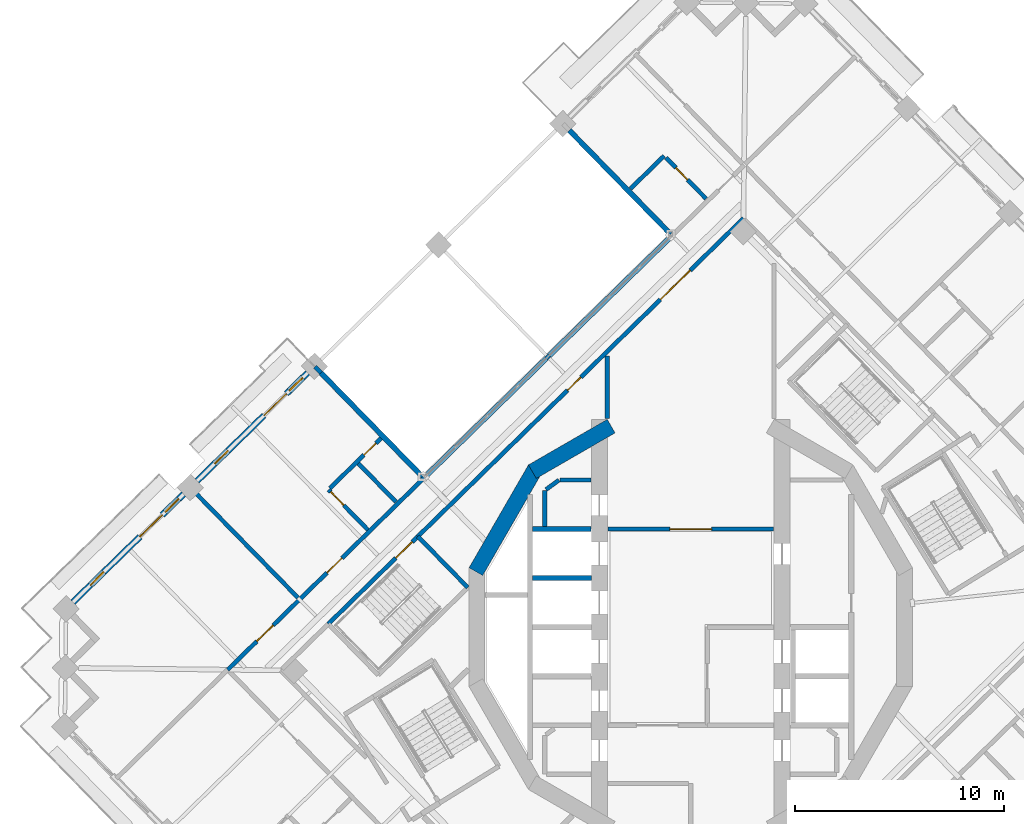
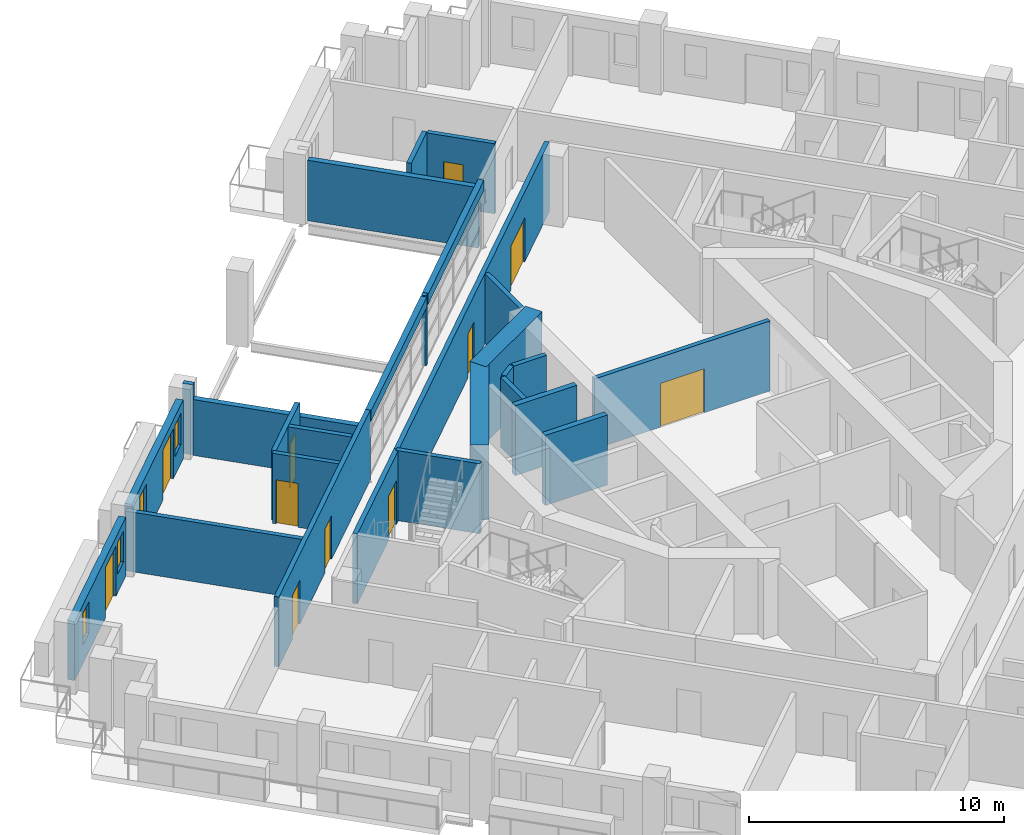
# One storey, part 9 of 18: 27 walls, 11 doors, 4 windows, 15 openings.
"""IFC4 building model written with IfcOpenShell, lengths in metres."""

from ifc_helpers import new_model, si_unit, direction, frame, frame_2d, origin, place, context, subcontext, project, spatial, rectangle, extrude, material, layer, layer_set, type_object, element, fill, save


model = new_model("IFC4")

# Units and contexts
model_context = context("Model", 3, precision=1e-05, world=origin(), true_north=direction((0.0, 1.0)))
body_context = subcontext(model_context, "Body", "Model", "MODEL_VIEW")
ifc_project = project(units=[si_unit("LENGTHUNIT", "METRE"), si_unit("AREAUNIT", "SQUARE_METRE"), si_unit("VOLUMEUNIT", "CUBIC_METRE"), si_unit("PLANEANGLEUNIT", "RADIAN"), si_unit("MASSUNIT", "GRAM", prefix="KILO")], contexts=[model_context])

# Site, building, storey
site_placement = place(None, origin())
site = spatial("IfcSite", under=ifc_project, at=site_placement, CompositionType="ELEMENT")
building_placement = place(site_placement, origin())
building = spatial("IfcBuilding", under=site, at=building_placement, Name="Cantera Rosa Tower", CompositionType="ELEMENT")
storey_placement = place(building_placement, frame((0.0, 0.0, 219.800048828125)))
storey = spatial("IfcBuildingStorey", under=building, at=storey_placement, Name="L47", CompositionType="ELEMENT", Elevation=219.800048828125)

# Wall
ifc_material_1 = material(Name="Gypsum board partition")
ifc_layer_1 = layer(ifc_material_1, 0.199951171875)
ifc_layer_set_1 = layer_set([ifc_layer_1], Name="CORRIDOR WALL 200 H3350")
wall_type_1 = type_object("IfcWallType", Name="CORRIDOR WALL 200 H3350", PredefinedType="PARTITIONING", material=ifc_layer_set_1)
wall_1_placement = place(storey_placement, frame((-4.0, 12.998046875, 0.0), z_axis=(0.0, 0.0, 1.0), x_axis=(0.0, -1.0, 0.0)))
element("IfcWall", 1, at=wall_1_placement, inside=storey, type_object=wall_type_1, Name="CORRIDOR WALL L47-054", PredefinedType="PARTITIONING", context=body_context, shape_type="SweptSolid", body=[
    extrude(rectangle(XDim=3.00390625, YDim=0.199951171875, at=frame_2d((1.501953125, 0.0))), origin(), (0.0, 0.0, 1.0), 3.349853515625),
])

# Wall, opening, door
wall_2_placement = place(storey_placement, frame((-3.969970703125, 4.699951171875, 0.0), z_axis=(0.0, 0.0, 1.0), x_axis=(1.0, 0.0, 0.0)))
wall_2 = element("IfcWall", 2, at=wall_2_placement, inside=storey, type_object=wall_type_1, Name="CORRIDOR WALL L47-055", PredefinedType="PARTITIONING", context=body_context, shape_type="SweptSolid", body=[
    extrude(rectangle(XDim=7.93994140625, YDim=0.199951171875, at=frame_2d((3.969970703125, 0.0))), origin(), (0.0, 0.0, 1.0), 3.349853515625),
])
opening_1_placement = place(wall_2_placement, frame((2.969970703125, 0.0, 0.0)))
opening_1 = element("IfcOpeningElement", 3, at=opening_1_placement, cuts=wall_2, Name="Opening L47-013", PredefinedType="OPENING", context=body_context, shape_type="SweptSolid", body=[
    extrude(rectangle(XDim=2.0, YDim=2.10009765625, at=frame_2d((1.0, 1.050048828125))), frame((0.0, 0.10986328125, 0.0), z_axis=(0.0, -1.0, 0.0), x_axis=(1.0, 0.0, 0.0)), (0.0, 0.0, 1.0), 0.219970703125),
])
ifc_material_2 = material(Name="Steel S355J2 (EN 10025-2)", Category="steel")
door_type_1 = type_object("IfcDoorType", Name="LOBBY SCREEN DOOR 2000x2100", OperationType="NOTDEFINED", PredefinedType="DOOR", material=ifc_material_2)
door_1_placement = place(opening_1_placement, origin())
door_1 = element("IfcDoor", 4, at=door_1_placement, inside=storey, type_object=door_type_1, Name="DOOR L47-013", OperationType="NOTDEFINED", OverallHeight=2.10009765625, OverallWidth=2.0, PredefinedType="DOOR", context=body_context, shape_type="SweptSolid", body=[
    extrude(rectangle(XDim=2.0, YDim=2.10009765625, at=frame_2d((1.0, 1.050048828125))), frame((0.0, 0.02490234375, 0.0), z_axis=(0.0, -1.0, 0.0), x_axis=(1.0, 0.0, 0.0)), (0.0, 0.0, 1.0), 0.050048828125),
])
fill(opening_1, door_1)

# Wall, openings, doors
wall_3_placement = place(storey_placement, frame((2.5263671875, 19.593994140625, 0.0), z_axis=(0.0, 0.0, 1.0), x_axis=(-0.715295644999, -0.698821966059, 0.0)))
wall_3 = element("IfcWall", 5, at=wall_3_placement, inside=storey, type_object=wall_type_1, Name="CORRIDOR WALL L47-069", PredefinedType="PARTITIONING", context=body_context, shape_type="SweptSolid", body=[
    extrude(rectangle(XDim=21.815185546875, YDim=0.199951171875, at=frame_2d((10.90771484375, 0.0))), origin(), (0.0, 0.0, 1.0), 3.349853515625),
])
opening_2_placement = place(wall_3_placement, frame((10.89501953125, 0.0, 0.0)))
opening_2 = element("IfcOpeningElement", 6, at=opening_2_placement, cuts=wall_3, Name="Opening L47-008", PredefinedType="OPENING", context=body_context, shape_type="SweptSolid", body=[
    extrude(rectangle(XDim=0.89990234375, YDim=2.10009765625, at=frame_2d((0.449951171875, 1.050048828125))), frame((0.0, 0.10986328125, 0.0), z_axis=(0.0, -1.0, 0.0), x_axis=(1.0, 0.0, 0.0)), (0.0, 0.0, 1.0), 0.219970703125),
])
opening_3_placement = place(wall_3_placement, frame((3.56201171875, 0.0, 0.0)))
opening_3 = element("IfcOpeningElement", 7, at=opening_3_placement, cuts=wall_3, Name="Opening L47-012", PredefinedType="OPENING", context=body_context, shape_type="SweptSolid", body=[
    extrude(rectangle(XDim=2.0, YDim=2.10009765625, at=frame_2d((1.0, 1.050048828125))), frame((0.0, 0.10986328125, 0.0), z_axis=(0.0, -1.0, 0.0), x_axis=(1.0, 0.0, 0.0)), (0.0, 0.0, 1.0), 0.219970703125),
])
door_2_placement = place(opening_3_placement, origin())
door_2 = element("IfcDoor", 8, at=door_2_placement, inside=storey, type_object=door_type_1, Name="DOOR L47-012", OperationType="NOTDEFINED", OverallHeight=2.10009765625, OverallWidth=2.0, PredefinedType="DOOR", context=body_context, shape_type="SweptSolid", body=[
    extrude(rectangle(XDim=2.0, YDim=2.10009765625, at=frame_2d((1.0, 1.050048828125))), frame((0.0, 0.02490234375, 0.0), z_axis=(0.0, -1.0, 0.0), x_axis=(1.0, 0.0, 0.0)), (0.0, 0.0, 1.0), 0.050048828125),
])
fill(opening_3, door_2)
ifc_material_3 = material(Name="Timber door leaf", Category="wood")
door_type_2 = type_object("IfcDoorType", Name="SERVICE DOOR 900x2100", OperationType="NOTDEFINED", PredefinedType="DOOR", material=ifc_material_3)
door_3_placement = place(opening_2_placement, origin())
door_3 = element("IfcDoor", 9, at=door_3_placement, inside=storey, type_object=door_type_2, Name="DOOR L47-008", OperationType="NOTDEFINED", OverallHeight=2.10009765625, OverallWidth=0.89990234375, PredefinedType="DOOR", context=body_context, shape_type="SweptSolid", body=[
    extrude(rectangle(XDim=0.89990234375, YDim=2.10009765625, at=frame_2d((0.449951171875, 1.050048828125))), frame((0.0, 0.02490234375, 0.0), z_axis=(0.0, -1.0, 0.0), x_axis=(1.0, 0.0, 0.0)), (0.0, 0.0, 1.0), 0.050048828125),
])
fill(opening_2, door_3)

# Wall
wall_4_placement = place(storey_placement, frame((-6.773681640625, 13.024658203125, 0.0), z_axis=(0.0, 0.0, 1.0), x_axis=(-0.715244422752, -0.698874391949, 0.0)))
element("IfcWall", 10, at=wall_4_placement, inside=storey, type_object=wall_type_1, Name="CORRIDOR WALL L47-071", PredefinedType="PARTITIONING", context=body_context, shape_type="SweptSolid", body=[
    extrude(rectangle(XDim=0.19384765625, YDim=0.199951171875, at=frame_2d((0.096923828125, 0.0))), origin(), (0.0, 0.0, 1.0), 3.349853515625),
])

# Wall, openings, doors
wall_5_placement = place(storey_placement, frame((-12.704833984375, 7.22998046875, 0.0), z_axis=(0.0, 0.0, 1.0), x_axis=(-0.715285886085, -0.698831954885, 0.0)))
wall_5 = element("IfcWall", 11, at=wall_5_placement, inside=storey, type_object=wall_type_1, Name="CORRIDOR WALL L47-072", PredefinedType="PARTITIONING", context=body_context, shape_type="SweptSolid", body=[
    extrude(rectangle(XDim=13.26513671875, YDim=0.199951171875, at=frame_2d((6.632568359375, 0.0))), origin(), (0.0, 0.0, 1.0), 3.349853515625),
])
opening_4_placement = place(wall_5_placement, frame((5.610107421875, 0.0, 0.0)))
opening_4 = element("IfcOpeningElement", 12, at=opening_4_placement, cuts=wall_5, Name="Opening L47-030", PredefinedType="OPENING", context=body_context, shape_type="SweptSolid", body=[
    extrude(rectangle(XDim=1.0, YDim=2.10009765625, at=frame_2d((0.5, 1.050048828125))), frame((0.0, 0.10986328125, 0.0), z_axis=(0.0, -1.0, 0.0), x_axis=(1.0, 0.0, 0.0)), (0.0, 0.0, 1.0), 0.219970703125),
])
opening_5_placement = place(wall_5_placement, frame((10.215087890625, 0.0, 0.0)))
opening_5 = element("IfcOpeningElement", 13, at=opening_5_placement, cuts=wall_5, Name="Opening L47-036", PredefinedType="OPENING", context=body_context, shape_type="SweptSolid", body=[
    extrude(rectangle(XDim=1.10009765625, YDim=2.10009765625, at=frame_2d((0.550048828125, 1.050048828125))), frame((0.0, 0.10986328125, 0.0), z_axis=(0.0, -1.0, 0.0), x_axis=(1.0, 0.0, 0.0)), (0.0, 0.0, 1.0), 0.219970703125),
])
ifc_material_4 = material(Name="Timber door leaf", Category="wood")
door_type_3 = type_object("IfcDoorType", Name="ENTRANCE DOOR 1000x2100", OperationType="NOTDEFINED", PredefinedType="DOOR", material=ifc_material_4)
door_4_placement = place(opening_4_placement, origin())
door_4 = element("IfcDoor", 14, at=door_4_placement, inside=storey, type_object=door_type_3, Name="DOOR L47-030", OperationType="NOTDEFINED", OverallHeight=2.10009765625, OverallWidth=1.0, PredefinedType="DOOR", context=body_context, shape_type="SweptSolid", body=[
    extrude(rectangle(XDim=1.0, YDim=2.10009765625, at=frame_2d((0.5, 1.050048828125))), frame((0.0, 0.02490234375, 0.0), z_axis=(0.0, -1.0, 0.0), x_axis=(1.0, 0.0, 0.0)), (0.0, 0.0, 1.0), 0.050048828125),
])
fill(opening_4, door_4)
ifc_material_5 = material(Name="Timber door leaf", Category="wood")
door_type_4 = type_object("IfcDoorType", Name="ROOM DOOR 1100x2100", OperationType="NOTDEFINED", PredefinedType="DOOR", material=ifc_material_5)
door_5_placement = place(opening_5_placement, origin())
door_5 = element("IfcDoor", 15, at=door_5_placement, inside=storey, type_object=door_type_4, Name="DOOR L47-036", OperationType="NOTDEFINED", OverallHeight=2.10009765625, OverallWidth=1.10009765625, PredefinedType="DOOR", context=body_context, shape_type="SweptSolid", body=[
    extrude(rectangle(XDim=1.10009765625, YDim=2.10009765625, at=frame_2d((0.550048828125, 1.050048828125))), frame((0.0, 0.02490234375, 0.0), z_axis=(0.0, -1.0, 0.0), x_axis=(1.0, 0.0, 0.0)), (0.0, 0.0, 1.0), 0.050048828125),
])
fill(opening_5, door_5)

# Wall, openings, windows, door
ifc_material_6 = material(Name="Hollow clay masonry with cantera stone cladding", Category="masonry")
ifc_layer_2 = layer(ifc_material_6, 0.300048828125)
ifc_layer_set_2 = layer_set([ifc_layer_2], Name="EW-LOGGIA 300 H2820")
wall_type_2 = type_object("IfcWallType", Name="EW-LOGGIA 300 H2820", PredefinedType="SOLIDWALL", material=ifc_layer_set_2)
wall_6_placement = place(storey_placement, frame((-18.357177734375, 12.19287109375, 0.0), z_axis=(0.0, 0.0, 1.0), x_axis=(-0.715300826176, -0.698816662703, 0.0)))
wall_6 = element("IfcWall", 16, at=wall_6_placement, inside=storey, type_object=wall_type_2, Name="EN-L47-W10", PredefinedType="SOLIDWALL", context=body_context, shape_type="SweptSolid", body=[
    extrude(rectangle(XDim=7.420166015625, YDim=0.300048828125, at=frame_2d((3.7099609375, 0.0))), origin(), (0.0, 0.0, 1.0), 2.820068359375),
])
opening_6_placement = place(wall_6_placement, frame((0.330078125, 0.0, 0.89990234375)))
opening_6 = element("IfcOpeningElement", 17, at=opening_6_placement, cuts=wall_6, Name="Opening L47-W16", PredefinedType="OPENING", context=body_context, shape_type="SweptSolid", body=[
    extrude(rectangle(XDim=0.89990234375, YDim=1.5, at=frame_2d((0.449951171875, 0.75))), frame((0.0, 0.159912109375, 0.0), z_axis=(0.0, -1.0, 0.0), x_axis=(1.0, 0.0, 0.0)), (0.0, 0.0, 1.0), 0.320068359375),
])
opening_7_placement = place(wall_6_placement, frame((1.429931640625, 0.0, 0.0)))
opening_7 = element("IfcOpeningElement", 18, at=opening_7_placement, cuts=wall_6, Name="Opening L47-TD17", PredefinedType="OPENING", context=body_context, shape_type="SweptSolid", body=[
    extrude(rectangle(XDim=1.5, YDim=2.39990234375, at=frame_2d((0.75, 1.199951171875))), frame((0.0, 0.159912109375, 0.0), z_axis=(0.0, -1.0, 0.0), x_axis=(1.0, 0.0, 0.0)), (0.0, 0.0, 1.0), 0.320068359375),
])
opening_8_placement = place(wall_6_placement, frame((5.340087890625, 0.0, 0.89990234375)))
opening_8 = element("IfcOpeningElement", 19, at=opening_8_placement, cuts=wall_6, Name="Opening L47-W18", PredefinedType="OPENING", context=body_context, shape_type="SweptSolid", body=[
    extrude(rectangle(XDim=0.89990234375, YDim=1.5, at=frame_2d((0.449951171875, 0.75))), frame((0.0, 0.159912109375, 0.0), z_axis=(0.0, -1.0, 0.0), x_axis=(1.0, 0.0, 0.0)), (0.0, 0.0, 1.0), 0.320068359375),
])
ifc_material_7 = material(Name="Aluminium frame with clear glass", Category="aluminium")
window_type = type_object("IfcWindowType", Name="Residential window 900x1500", PartitioningType="SINGLE_PANEL", PredefinedType="WINDOW", material=ifc_material_7)
window_1_placement = place(opening_6_placement, origin())
window_1 = element("IfcWindow", 20, at=window_1_placement, inside=storey, type_object=window_type, Name="WINDOW L47-W16", OverallHeight=1.5, OverallWidth=0.89990234375, PartitioningType="SINGLE_PANEL", PredefinedType="WINDOW", context=body_context, shape_type="SweptSolid", body=[
    extrude(rectangle(XDim=0.89990234375, YDim=1.5, at=frame_2d((0.449951171875, 0.75))), frame((0.0, 0.030029296875, 0.0), z_axis=(0.0, -1.0, 0.0), x_axis=(1.0, 0.0, 0.0)), (0.0, 0.0, 1.0), 0.06005859375),
])
fill(opening_6, window_1)
window_2_placement = place(opening_8_placement, origin())
window_2 = element("IfcWindow", 21, at=window_2_placement, inside=storey, type_object=window_type, Name="WINDOW L47-W18", OverallHeight=1.5, OverallWidth=0.89990234375, PartitioningType="SINGLE_PANEL", PredefinedType="WINDOW", context=body_context, shape_type="SweptSolid", body=[
    extrude(rectangle(XDim=0.89990234375, YDim=1.5, at=frame_2d((0.449951171875, 0.75))), frame((0.0, 0.030029296875, 0.0), z_axis=(0.0, -1.0, 0.0), x_axis=(1.0, 0.0, 0.0)), (0.0, 0.0, 1.0), 0.06005859375),
])
fill(opening_8, window_2)
ifc_material_8 = material(Name="Aluminium frame with clear glass", Category="aluminium")
door_type_5 = type_object("IfcDoorType", Name="TD-R 1500x2400", OperationType="NOTDEFINED", PredefinedType="DOOR", material=ifc_material_8)
door_6_placement = place(opening_7_placement, origin())
door_6 = element("IfcDoor", 22, at=door_6_placement, inside=storey, type_object=door_type_5, Name="LOGGIA DOOR L47-TD17", OperationType="SLIDING_TO_LEFT", OverallHeight=2.39990234375, OverallWidth=1.5, PredefinedType="DOOR", context=body_context, shape_type="SweptSolid", body=[
    extrude(rectangle(XDim=1.5, YDim=2.39990234375, at=frame_2d((0.75, 1.199951171875))), frame((0.0, 0.02490234375, 0.0), z_axis=(0.0, -1.0, 0.0), x_axis=(1.0, 0.0, 0.0)), (0.0, 0.0, 1.0), 0.050048828125),
])
fill(opening_7, door_6)

wall_7_placement = place(storey_placement, frame((-24.308349609375, 6.37841796875, 0.0), z_axis=(0.0, 0.0, 1.0), x_axis=(-0.715300826176, -0.698816662703, 0.0)))
wall_7 = element("IfcWall", 23, at=wall_7_placement, inside=storey, type_object=wall_type_2, Name="EN-L47-W11", PredefinedType="SOLIDWALL", context=body_context, shape_type="SweptSolid", body=[
    extrude(rectangle(XDim=7.420166015625, YDim=0.300048828125, at=frame_2d((3.7099609375, 0.0))), origin(), (0.0, 0.0, 1.0), 2.820068359375),
])
opening_9_placement = place(wall_7_placement, frame((0.330078125, 0.0, 0.89990234375)))
opening_9 = element("IfcOpeningElement", 24, at=opening_9_placement, cuts=wall_7, Name="Opening L47-W19", PredefinedType="OPENING", context=body_context, shape_type="SweptSolid", body=[
    extrude(rectangle(XDim=0.89990234375, YDim=1.5, at=frame_2d((0.449951171875, 0.75))), frame((0.0, 0.159912109375, 0.0), z_axis=(0.0, -1.0, 0.0), x_axis=(1.0, 0.0, 0.0)), (0.0, 0.0, 1.0), 0.320068359375),
])
opening_10_placement = place(wall_7_placement, frame((1.429931640625, 0.0, 0.0)))
opening_10 = element("IfcOpeningElement", 25, at=opening_10_placement, cuts=wall_7, Name="Opening L47-TD20", PredefinedType="OPENING", context=body_context, shape_type="SweptSolid", body=[
    extrude(rectangle(XDim=1.5, YDim=2.39990234375, at=frame_2d((0.75, 1.199951171875))), frame((0.0, 0.159912109375, 0.0), z_axis=(0.0, -1.0, 0.0), x_axis=(1.0, 0.0, 0.0)), (0.0, 0.0, 1.0), 0.320068359375),
])
opening_11_placement = place(wall_7_placement, frame((5.340087890625, 0.0, 0.89990234375)))
opening_11 = element("IfcOpeningElement", 26, at=opening_11_placement, cuts=wall_7, Name="Opening L47-W21", PredefinedType="OPENING", context=body_context, shape_type="SweptSolid", body=[
    extrude(rectangle(XDim=0.89990234375, YDim=1.5, at=frame_2d((0.449951171875, 0.75))), frame((0.0, 0.159912109375, 0.0), z_axis=(0.0, -1.0, 0.0), x_axis=(1.0, 0.0, 0.0)), (0.0, 0.0, 1.0), 0.320068359375),
])
window_3_placement = place(opening_9_placement, origin())
window_3 = element("IfcWindow", 27, at=window_3_placement, inside=storey, type_object=window_type, Name="WINDOW L47-W19", OverallHeight=1.5, OverallWidth=0.89990234375, PartitioningType="SINGLE_PANEL", PredefinedType="WINDOW", context=body_context, shape_type="SweptSolid", body=[
    extrude(rectangle(XDim=0.89990234375, YDim=1.5, at=frame_2d((0.449951171875, 0.75))), frame((0.0, 0.030029296875, 0.0), z_axis=(0.0, -1.0, 0.0), x_axis=(1.0, 0.0, 0.0)), (0.0, 0.0, 1.0), 0.06005859375),
])
fill(opening_9, window_3)
window_4_placement = place(opening_11_placement, origin())
window_4 = element("IfcWindow", 28, at=window_4_placement, inside=storey, type_object=window_type, Name="WINDOW L47-W21", OverallHeight=1.5, OverallWidth=0.89990234375, PartitioningType="SINGLE_PANEL", PredefinedType="WINDOW", context=body_context, shape_type="SweptSolid", body=[
    extrude(rectangle(XDim=0.89990234375, YDim=1.5, at=frame_2d((0.449951171875, 0.75))), frame((0.0, 0.030029296875, 0.0), z_axis=(0.0, -1.0, 0.0), x_axis=(1.0, 0.0, 0.0)), (0.0, 0.0, 1.0), 0.06005859375),
])
fill(opening_11, window_4)
door_7_placement = place(opening_10_placement, origin())
door_7 = element("IfcDoor", 29, at=door_7_placement, inside=storey, type_object=door_type_5, Name="LOGGIA DOOR L47-TD20", OperationType="SLIDING_TO_LEFT", OverallHeight=2.39990234375, OverallWidth=1.5, PredefinedType="DOOR", context=body_context, shape_type="SweptSolid", body=[
    extrude(rectangle(XDim=1.5, YDim=2.39990234375, at=frame_2d((0.75, 1.199951171875))), frame((0.0, 0.02490234375, 0.0), z_axis=(0.0, -1.0, 0.0), x_axis=(1.0, 0.0, 0.0)), (0.0, 0.0, 1.0), 0.050048828125),
])
fill(opening_10, door_7)

# Walls
ifc_material_9 = material(Name="Concrete C40/50", Category="concrete")
ifc_layer_3 = layer(ifc_material_9, 0.25)
ifc_layer_set_3 = layer_set([ifc_layer_3], Name="EW-POCKET CHEEK 250 H2670")
wall_type_3 = type_object("IfcWallType", Name="EW-POCKET CHEEK 250 H2670", PredefinedType="SOLIDWALL", material=ifc_layer_set_3)
wall_8_placement = place(storey_placement, frame((-17.720947265625, 12.185302734375, 0.0), z_axis=(0.0, 0.0, 1.0), x_axis=(0.69883901927, -0.715278984135, 0.0)))
element("IfcWall", 30, at=wall_8_placement, inside=storey, type_object=wall_type_3, Name="POCKET CHEEK B L47", PredefinedType="SOLIDWALL", context=body_context, shape_type="SweptSolid", body=[
    extrude(rectangle(XDim=6.949951171875, YDim=0.25, at=frame_2d((3.47509765625, 0.0))), origin(), (0.0, 0.0, 1.0), 2.669921875),
])
ifc_material_10 = material(Name="Concrete C40/50", Category="concrete")
ifc_layer_4 = layer(ifc_material_10, 0.25)
ifc_layer_set_4 = layer_set([ifc_layer_4], Name="EW-POCKET CHEEK 250 H2890")
wall_type_4 = type_object("IfcWallType", Name="EW-POCKET CHEEK 250 H2890", PredefinedType="SOLIDWALL", material=ifc_layer_set_4)
wall_9_placement = place(storey_placement, frame((-5.818603515625, 23.81396484375, 0.0), z_axis=(0.0, 0.0, 1.0), x_axis=(0.69883901927, -0.715278984135, 0.0)))
element("IfcWall", 31, at=wall_9_placement, inside=storey, type_object=wall_type_4, Name="POCKET CHEEK A L47", PredefinedType="SOLIDWALL", context=body_context, shape_type="SweptSolid", body=[
    extrude(rectangle(XDim=6.949951171875, YDim=0.25, at=frame_2d((3.47509765625, 0.0))), origin(), (0.0, 0.0, 1.0), 2.889892578125),
])
ifc_material_11 = material(Name="Hollow clay masonry with cantera stone cladding", Category="masonry")
ifc_layer_5 = layer(ifc_material_11, 0.25)
ifc_layer_set_5 = layer_set([ifc_layer_5], Name="EW-POCKET REAR 250")
wall_type_5 = type_object("IfcWallType", Name="EW-POCKET REAR 250", PredefinedType="SOLIDWALL", material=ifc_layer_set_5)
for number, where, z_axis, x_axis, name in (
    (32, (-0.981201171875, 18.683837890625, 2.81005859375), (0.0, 0.0, 1.0), (-0.715289259581, -0.698828501943, 0.0), "POCKET SPANDREL L47-1"),
    (33, (-6.912353515625, 12.88916015625, 2.81005859375), (0.0, 0.0, 1.0), (-0.715289259581, -0.698828501943, 0.0), "POCKET SPANDREL L47-2"),
):
    element("IfcWall", number, at=place(storey_placement, frame(where, z_axis=z_axis, x_axis=x_axis)), inside=storey, type_object=wall_type_5, Name=name, PredefinedType="SOLIDWALL", context=body_context, shape_type="SweptSolid", body=[
        extrude(rectangle(XDim=8.09814453125, YDim=0.25, at=frame_2d((4.049072265625, 0.0))), origin(), (0.0, 0.0, 1.0), 0.489990234375),
    ])
ifc_material_12 = material(Name="Gypsum board partition")
ifc_layer_6 = layer(ifc_material_12, 0.199951171875)
ifc_layer_set_6 = layer_set([ifc_layer_6], Name="PARTITION 200 H3350")
wall_type_6 = type_object("IfcWallType", Name="PARTITION 200 H3350", PredefinedType="PARTITIONING", material=ifc_layer_set_6)
wall_10_placement = place(storey_placement, frame((-18.014404296875, 12.48583984375, 0.0), z_axis=(0.0, 0.0, 1.0), x_axis=(0.698628837203, -0.715484275039, 0.0)))
element("IfcWall", 34, at=wall_10_placement, inside=storey, type_object=wall_type_6, Name="PARTITION L47-008", PredefinedType="PARTITIONING", context=body_context, shape_type="SweptSolid", body=[
    extrude(rectangle(XDim=0.420166015625, YDim=0.199951171875, at=frame_2d((0.2099609375, 0.0))), origin(), (0.0, 0.0, 1.0), 3.349853515625),
])

# Wall, opening, door
wall_11_placement = place(storey_placement, frame((-17.290283203125, 6.66455078125, 0.0), z_axis=(0.0, 0.0, 1.0), x_axis=(0.715315511072, 0.698801631094, 0.0)))
wall_11 = element("IfcWall", 35, at=wall_11_placement, inside=storey, type_object=wall_type_6, Name="PARTITION L47-010", PredefinedType="PARTITIONING", context=body_context, shape_type="SweptSolid", body=[
    extrude(rectangle(XDim=3.4150390625, YDim=0.199951171875, at=frame_2d((1.70751953125, 0.0))), origin(), (0.0, 0.0, 1.0), 3.349853515625),
])
opening_12_placement = place(wall_11_placement, frame((2.27490234375, 0.0, 0.0)))
opening_12 = element("IfcOpeningElement", 36, at=opening_12_placement, cuts=wall_11, Name="Opening L47-031", PredefinedType="OPENING", context=body_context, shape_type="SweptSolid", body=[
    extrude(rectangle(XDim=0.800048828125, YDim=2.10009765625, at=frame_2d((0.39990234375, 1.050048828125))), frame((0.0, 0.10986328125, 0.0), z_axis=(0.0, -1.0, 0.0), x_axis=(1.0, 0.0, 0.0)), (0.0, 0.0, 1.0), 0.219970703125),
])
ifc_material_13 = material(Name="Timber door leaf", Category="wood")
door_type_6 = type_object("IfcDoorType", Name="BATHROOM DOOR 800x2100", OperationType="NOTDEFINED", PredefinedType="DOOR", material=ifc_material_13)
door_8_placement = place(opening_12_placement, origin())
door_8 = element("IfcDoor", 37, at=door_8_placement, inside=storey, type_object=door_type_6, Name="DOOR L47-031", OperationType="NOTDEFINED", OverallHeight=2.10009765625, OverallWidth=0.800048828125, PredefinedType="DOOR", context=body_context, shape_type="SweptSolid", body=[
    extrude(rectangle(XDim=0.800048828125, YDim=2.10009765625, at=frame_2d((0.39990234375, 1.050048828125))), frame((0.0, 0.02490234375, 0.0), z_axis=(0.0, -1.0, 0.0), x_axis=(1.0, 0.0, 0.0)), (0.0, 0.0, 1.0), 0.050048828125),
])
fill(opening_12, door_8)

wall_12_placement = place(storey_placement, frame((-15.474853515625, 4.663330078125, 0.0), z_axis=(0.0, 0.0, 1.0), x_axis=(-0.69883098597, 0.71528683271, 0.0)))
wall_12 = element("IfcWall", 38, at=wall_12_placement, inside=storey, type_object=wall_type_6, Name="PARTITION L47-014", PredefinedType="PARTITIONING", context=body_context, shape_type="SweptSolid", body=[
    extrude(rectangle(XDim=2.7001953125, YDim=0.199951171875, at=frame_2d((1.35009765625, 0.0))), origin(), (0.0, 0.0, 1.0), 3.349853515625),
])
opening_13_placement = place(wall_12_placement, frame((1.64990234375, 0.0, 0.0)))
opening_13 = element("IfcOpeningElement", 39, at=opening_13_placement, cuts=wall_12, Name="Opening L47-032", PredefinedType="OPENING", context=body_context, shape_type="SweptSolid", body=[
    extrude(rectangle(XDim=0.89990234375, YDim=2.10009765625, at=frame_2d((0.449951171875, 1.050048828125))), frame((0.0, 0.10986328125, 0.0), z_axis=(0.0, -1.0, 0.0), x_axis=(1.0, 0.0, 0.0)), (0.0, 0.0, 1.0), 0.219970703125),
])
ifc_material_14 = material(Name="Timber door leaf", Category="wood")
door_type_7 = type_object("IfcDoorType", Name="ROOM DOOR 900x2100", OperationType="NOTDEFINED", PredefinedType="DOOR", material=ifc_material_14)
door_9_placement = place(opening_13_placement, origin())
door_9 = element("IfcDoor", 40, at=door_9_placement, inside=storey, type_object=door_type_7, Name="DOOR L47-032", OperationType="NOTDEFINED", OverallHeight=2.10009765625, OverallWidth=0.89990234375, PredefinedType="DOOR", context=body_context, shape_type="SweptSolid", body=[
    extrude(rectangle(XDim=0.89990234375, YDim=2.10009765625, at=frame_2d((0.449951171875, 1.050048828125))), frame((0.0, 0.02490234375, 0.0), z_axis=(0.0, -1.0, 0.0), x_axis=(1.0, 0.0, 0.0)), (0.0, 0.0, 1.0), 0.050048828125),
])
fill(opening_13, door_9)

# Walls
wall_13_placement = place(storey_placement, frame((-14.1298828125, 6.005615234375, 0.0), z_axis=(0.0, 0.0, 1.0), x_axis=(-0.698826236875, 0.715291472517, 0.0)))
element("IfcWall", 41, at=wall_13_placement, inside=storey, type_object=wall_type_6, Name="PARTITION L47-019", PredefinedType="PARTITIONING", context=body_context, shape_type="SweptSolid", body=[
    extrude(rectangle(XDim=2.580078125, YDim=0.199951171875, at=frame_2d((1.2900390625, 0.0))), origin(), (0.0, 0.0, 1.0), 3.349853515625),
])
wall_14_placement = place(storey_placement, frame((-7.0, 4.824951171875, 0.0), z_axis=(0.0, 0.0, 1.0), x_axis=(0.0, 1.0, 0.0)))
element("IfcWall", 42, at=wall_14_placement, inside=storey, type_object=wall_type_6, Name="PARTITION L47-043", PredefinedType="PARTITIONING", context=body_context, shape_type="SweptSolid", body=[
    extrude(rectangle(XDim=1.72509765625, YDim=0.199951171875, at=frame_2d((0.862548828125, 0.0))), origin(), (0.0, 0.0, 1.0), 3.349853515625),
])
wall_15_placement = place(storey_placement, frame((-6.935302734375, 6.59716796875, 0.0), z_axis=(0.0, 0.0, 1.0), x_axis=(0.808227862651, 0.588869868506, 0.0)))
element("IfcWall", 43, at=wall_15_placement, inside=storey, type_object=wall_type_6, Name="PARTITION L47-044", PredefinedType="PARTITIONING", context=body_context, shape_type="SweptSolid", body=[
    extrude(rectangle(XDim=0.76904296875, YDim=0.199951171875, at=frame_2d((0.384521484375, 0.0))), origin(), (0.0, 0.0, 1.0), 3.349853515625),
])
wall_16_placement = place(storey_placement, frame((-6.273681640625, 7.050048828125, 0.0), z_axis=(0.0, 0.0, 1.0), x_axis=(1.0, 0.0, 0.0)))
element("IfcWall", 44, at=wall_16_placement, inside=storey, type_object=wall_type_6, Name="PARTITION L47-045", PredefinedType="PARTITIONING", context=body_context, shape_type="SweptSolid", body=[
    extrude(rectangle(XDim=1.49365234375, YDim=0.199951171875, at=frame_2d((0.746826171875, 0.0))), origin(), (0.0, 0.0, 1.0), 3.349853515625),
])
wall_17_placement = place(storey_placement, frame((-2.8916015625, 21.011474609375, 0.0), z_axis=(0.0, 0.0, 1.0), x_axis=(0.715304752003, 0.698812644249, 0.0)))
element("IfcWall", 45, at=wall_17_placement, inside=storey, type_object=wall_type_6, Name="PARTITION L47-056", PredefinedType="PARTITIONING", context=body_context, shape_type="SweptSolid", body=[
    extrude(rectangle(XDim=2.264892578125, YDim=0.199951171875, at=frame_2d((1.13232421875, 0.0))), origin(), (0.0, 0.0, 1.0), 3.349853515625),
])

# Wall, opening, door
wall_18_placement = place(storey_placement, frame((-1.187744140625, 22.50830078125, 0.0), z_axis=(0.0, 0.0, 1.0), x_axis=(0.698832164503, -0.715285681288, 0.0)))
wall_18 = element("IfcWall", 46, at=wall_18_placement, inside=storey, type_object=wall_type_6, Name="PARTITION L47-060", PredefinedType="PARTITIONING", context=body_context, shape_type="SweptSolid", body=[
    extrude(rectangle(XDim=2.760009765625, YDim=0.199951171875, at=frame_2d((1.3798828125, 0.0))), origin(), (0.0, 0.0, 1.0), 3.349853515625),
])
opening_14_placement = place(wall_18_placement, frame((0.679931640625, 0.0, 0.0)))
opening_14 = element("IfcOpeningElement", 47, at=opening_14_placement, cuts=wall_18, Name="Opening L47-034", PredefinedType="OPENING", context=body_context, shape_type="SweptSolid", body=[
    extrude(rectangle(XDim=0.800048828125, YDim=2.10009765625, at=frame_2d((0.39990234375, 1.050048828125))), frame((0.0, 0.10986328125, 0.0), z_axis=(0.0, -1.0, 0.0), x_axis=(1.0, 0.0, 0.0)), (0.0, 0.0, 1.0), 0.219970703125),
])
door_10_placement = place(opening_14_placement, origin())
door_10 = element("IfcDoor", 48, at=door_10_placement, inside=storey, type_object=door_type_6, Name="DOOR L47-034", OperationType="NOTDEFINED", OverallHeight=2.10009765625, OverallWidth=0.800048828125, PredefinedType="DOOR", context=body_context, shape_type="SweptSolid", body=[
    extrude(rectangle(XDim=0.800048828125, YDim=2.10009765625, at=frame_2d((0.39990234375, 1.050048828125))), frame((0.0, 0.02490234375, 0.0), z_axis=(0.0, -1.0, 0.0), x_axis=(1.0, 0.0, 0.0)), (0.0, 0.0, 1.0), 0.050048828125),
])
fill(opening_14, door_10)

# Walls
ifc_material_15 = material(Name="Gypsum board partition")
ifc_layer_7 = layer(ifc_material_15, 0.199951171875)
ifc_layer_set_7 = layer_set([ifc_layer_7], Name="PARTY WALL 200 H2850")
wall_type_7 = type_object("IfcWallType", Name="PARTY WALL 200 H2850", PredefinedType="PARTITIONING", material=ifc_layer_set_7)
wall_19_placement = place(storey_placement, frame((-18.8291015625, 1.414306640625, 0.0), z_axis=(0.0, 0.0, 1.0), x_axis=(-0.698854556514, 0.71526380367, 0.0)))
element("IfcWall", 49, at=wall_19_placement, inside=storey, type_object=wall_type_7, Name="PARTY WALL L47-006", PredefinedType="PARTITIONING", context=body_context, shape_type="SweptSolid", body=[
    extrude(rectangle(XDim=7.349853515625, YDim=0.199951171875, at=frame_2d((3.6748046875, 0.0))), origin(), (0.0, 0.0, 1.0), 2.849853515625),
])
ifc_material_16 = material(Name="Concrete C60/75", Category="concrete")
ifc_layer_8 = layer(ifc_material_16, 0.75)
ifc_layer_set_8 = layer_set([ifc_layer_8], Name="RC CORE WALL 750 C60/75")
wall_type_8 = type_object("IfcWallType", Name="RC CORE WALL 750 C60/75", PredefinedType="SHEAR", material=ifc_layer_set_8)
wall_20_placement = place(storey_placement, frame((-10.300537109375, 2.659423828125, 0.0), z_axis=(0.0, 0.0, 1.0), x_axis=(0.500021842983, 0.866012792365, 0.0)))
element("IfcWall", 50, at=wall_20_placement, inside=storey, type_object=wall_type_8, Name="CW-W4 L47", PredefinedType="SHEAR", context=body_context, shape_type="SweptSolid", body=[
    extrude(rectangle(XDim=5.694091796875, YDim=0.75, at=frame_2d((2.84716796875, 0.0))), origin(), (0.0, 0.0, 1.0), 3.599853515625),
])
wall_21_placement = place(storey_placement, frame((-7.590576171875, 7.453369140625, 0.0), z_axis=(0.0, 0.0, 1.0), x_axis=(0.866013176292, 0.50002117804, 0.0)))
element("IfcWall", 51, at=wall_21_placement, inside=storey, type_object=wall_type_8, Name="CW-W5 L47", PredefinedType="SHEAR", context=body_context, shape_type="SweptSolid", body=[
    extrude(rectangle(XDim=4.362548828125, YDim=0.75, at=frame_2d((2.18115234375, 0.0))), origin(), (0.0, 0.0, 1.0), 3.599853515625),
])
ifc_material_17 = material(Name="Masonry blockwork", Category="masonry")
ifc_layer_9 = layer(ifc_material_17, 0.25)
ifc_layer_set_9 = layer_set([ifc_layer_9], Name="SHAFT WALL 250 H3350")
wall_type_9 = type_object("IfcWallType", Name="SHAFT WALL 250 H3350", PredefinedType="SOLIDWALL", material=ifc_layer_set_9)
wall_22_placement = place(storey_placement, frame((-7.574951171875, 2.35009765625, 0.0), z_axis=(0.0, 0.0, 1.0), x_axis=(1.0, 0.0, 0.0)))
element("IfcWall", 52, at=wall_22_placement, inside=storey, type_object=wall_type_9, Name="SHAFT WALL L47-036", PredefinedType="SOLIDWALL", context=body_context, shape_type="SweptSolid", body=[
    extrude(rectangle(XDim=2.824951171875, YDim=0.25, at=frame_2d((1.41259765625, 0.0))), origin(), (0.0, 0.0, 1.0), 3.349853515625),
])
wall_23_placement = place(storey_placement, frame((-7.574951171875, 4.699951171875, 0.0), z_axis=(0.0, 0.0, 1.0), x_axis=(1.0, 0.0, 0.0)))
element("IfcWall", 53, at=wall_23_placement, inside=storey, type_object=wall_type_9, Name="SHAFT WALL L47-037", PredefinedType="SOLIDWALL", context=body_context, shape_type="SweptSolid", body=[
    extrude(rectangle(XDim=2.794921875, YDim=0.25, at=frame_2d((1.3974609375, 0.0))), origin(), (0.0, 0.0, 1.0), 3.349853515625),
])

# Wall, opening, door
ifc_material_18 = material(Name="Concrete C50/60", Category="concrete")
ifc_layer_10 = layer(ifc_material_18, 0.199951171875)
ifc_layer_set_10 = layer_set([ifc_layer_10], Name="STAIR WALL 200 H3350")
wall_type_10 = type_object("IfcWallType", Name="STAIR WALL 200 H3350", PredefinedType="SOLIDWALL", material=ifc_layer_set_10)
wall_24_placement = place(storey_placement, frame((-13.077880859375, 4.34912109375, 0.0), z_axis=(0.0, 0.0, 1.0), x_axis=(-0.715278260946, -0.698839759471, 0.0)))
wall_24 = element("IfcWall", 54, at=wall_24_placement, inside=storey, type_object=wall_type_10, Name="STAIR WALL L47-022", PredefinedType="SOLIDWALL", context=body_context, shape_type="SweptSolid", body=[
    extrude(rectangle(XDim=6.0, YDim=0.199951171875, at=frame_2d((3.0, 0.0))), origin(), (0.0, 0.0, 1.0), 3.349853515625),
])
opening_15_placement = place(wall_24_placement, frame((0.375, 0.0, 0.0)))
opening_15 = element("IfcOpeningElement", 55, at=opening_15_placement, cuts=wall_24, Name="Opening L47-004", PredefinedType="OPENING", context=body_context, shape_type="SweptSolid", body=[
    extrude(rectangle(XDim=1.10009765625, YDim=2.10009765625, at=frame_2d((0.550048828125, 1.050048828125))), frame((0.0, 0.10986328125, 0.0), z_axis=(0.0, -1.0, 0.0), x_axis=(1.0, 0.0, 0.0)), (0.0, 0.0, 1.0), 0.219970703125),
])
ifc_material_19 = material(Name="Steel S355J2 (EN 10025-2)", Category="steel")
door_type_8 = type_object("IfcDoorType", Name="STAIR DOOR 1100x2100", OperationType="NOTDEFINED", PredefinedType="DOOR", material=ifc_material_19)
door_11_placement = place(opening_15_placement, origin())
door_11 = element("IfcDoor", 56, at=door_11_placement, inside=storey, type_object=door_type_8, Name="DOOR L47-004", OperationType="NOTDEFINED", OverallHeight=2.10009765625, OverallWidth=1.10009765625, PredefinedType="DOOR", context=body_context, shape_type="SweptSolid", body=[
    extrude(rectangle(XDim=1.10009765625, YDim=2.10009765625, at=frame_2d((0.550048828125, 1.050048828125))), frame((0.0, 0.02490234375, 0.0), z_axis=(0.0, -1.0, 0.0), x_axis=(1.0, 0.0, 0.0)), (0.0, 0.0, 1.0), 0.050048828125),
])
fill(opening_15, door_11)

# Wall
wall_25_placement = place(storey_placement, frame((-10.68359375, 1.8984375, 0.0), z_axis=(0.0, 0.0, 1.0), x_axis=(-0.698828566482, 0.715289196527, 0.0)))
element("IfcWall", 57, at=wall_25_placement, inside=storey, type_object=wall_type_10, Name="STAIR WALL L47-030", PredefinedType="SOLIDWALL", context=body_context, shape_type="SweptSolid", body=[
    extrude(rectangle(XDim=3.426025390625, YDim=0.199951171875, at=frame_2d((1.712890625, 0.0))), origin(), (0.0, 0.0, 1.0), 3.349853515625),
])

save(model, "model.ifc")
